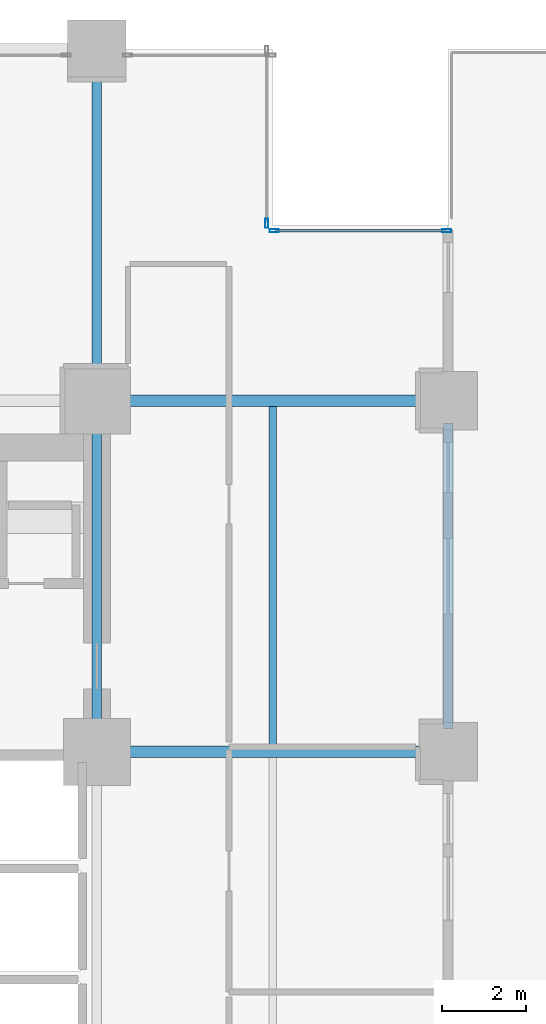
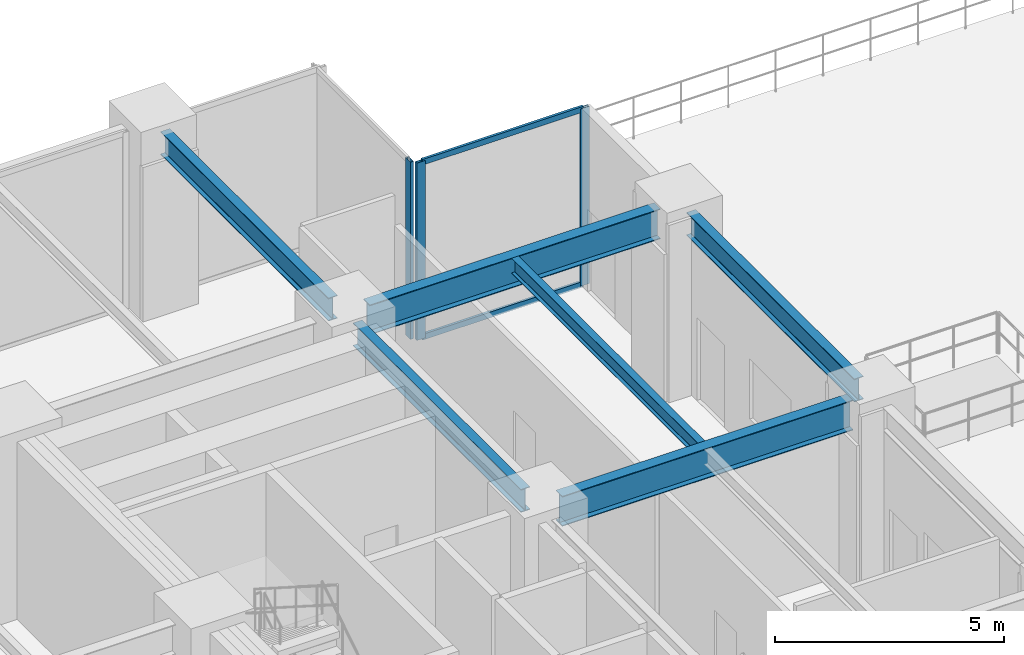
# One storey, part 10 of 21: 6 beams, 5 members, 2 elements without a shape of their own.
"""IFC4 building model written with IfcOpenShell, lengths in metres."""

from ifc_helpers import new_model, si_unit, direction, frame, origin, origin_2d, place, context, subcontext, project, spatial, hollow_rectangle, i_section, extrude, material, layer, layer_set, material_profile, profile_set, type_object, element, aggregate, save


model = new_model("IFC4")

# Units and contexts
model_context = context("Model", 3, precision=1e-05, world=origin(), true_north=direction((0.0, 1.0)))
body_context = subcontext(model_context, "Body", "Model", "MODEL_VIEW")
ifc_project = project(units=[si_unit("LENGTHUNIT", "METRE"), si_unit("AREAUNIT", "SQUARE_METRE"), si_unit("VOLUMEUNIT", "CUBIC_METRE"), si_unit("PLANEANGLEUNIT", "RADIAN"), si_unit("MASSUNIT", "GRAM", prefix="KILO")], contexts=[model_context])

# Site, building, storey
site_placement = place(None, origin())
site = spatial("IfcSite", under=ifc_project, at=site_placement, CompositionType="ELEMENT")
building_placement = place(site_placement, origin())
building = spatial("IfcBuilding", under=site, at=building_placement, Name="Nerrivon Quay Data Exchange", CompositionType="ELEMENT")
storey_placement = place(building_placement, frame((0.0, 0.0, 19.800048828125)))
storey = spatial("IfcBuildingStorey", under=building, at=storey_placement, Name="L04", CompositionType="ELEMENT", Elevation=19.800048828125)

# Beams
ifc_material_1 = material(Name="Steel Grade 350", Category="steel")
ifc_material_profile_1 = material_profile(ifc_material_1, i_section(OverallWidth=0.22900390625, OverallDepth=0.612060546875, WebThickness=0.011962890625, FlangeThickness=0.01953125, FilletRadius=0.013916015625, at=origin_2d()), Name="610UB125")
ifc_profile_set_1 = profile_set([ifc_material_profile_1], Name="Steel Grade 350")
beam_type_1 = type_object("IfcBeamType", Name="BM-G1-610UB125", PredefinedType="BEAM", material=ifc_profile_set_1)
for number, where, z_axis, x_axis, name in (
    (1, (16.800048828125, 34.139892578125, 4.4189453125), (0.0, 1.0, 0.0), (-1.0, 0.0, 0.0), "L04 NS Girder X=16.8 (33.6..42.0)"),
    (2, (16.800048828125, 42.5400390625, 4.4189453125), (0.0, 1.0, 0.0), (-1.0, 0.0, 0.0), "L04 NS Girder X=16.8 (42.0..50.4)"),
    (3, (25.199951171875, 34.139892578125, 4.4189453125), (0.0, 1.0, 0.0), (-1.0, 0.0, 0.0), "L04 NS Girder X=25.2 (33.6..42.0)"),
):
    element("IfcBeam", number, at=place(storey_placement, frame(where, z_axis=z_axis, x_axis=x_axis)), inside=storey, type_object=beam_type_1, Name=name, PredefinedType="BEAM", context=body_context, shape_type="SweptSolid", body=[
        extrude(i_section(OverallWidth=0.22900390625, OverallDepth=0.612060546875, WebThickness=0.011962890625, FlangeThickness=0.01953125, FilletRadius=0.013916015625, at=origin_2d()), origin(), (0.0, 0.0, 1.0), 7.320068359375),
    ])
ifc_material_profile_2 = material_profile(ifc_material_1, i_section(OverallWidth=0.27490234375, OverallDepth=0.800048828125, WebThickness=0.010009765625, FlangeThickness=0.02001953125, at=origin_2d()), Name="800WB146")
ifc_profile_set_2 = profile_set([ifc_material_profile_2], Name="Steel Grade 350")
beam_type_2 = type_object("IfcBeamType", Name="BM-G8-800WB146", PredefinedType="BEAM", material=ifc_profile_set_2)
for number, where, z_axis, x_axis, name in (
    (4, (17.340087890625, 33.60009765625, 4.324951171875), (1.0, 0.0, 0.0), (0.0, 1.0, 0.0), "L04 EW Girder Y=33.6 (16.8..25.2)"),
    (5, (17.340087890625, 42.0, 4.324951171875), (1.0, 0.0, 0.0), (0.0, 1.0, 0.0), "L04 EW Girder Y=42.0 (16.8..25.2)"),
):
    element("IfcBeam", number, at=place(storey_placement, frame(where, z_axis=z_axis, x_axis=x_axis)), inside=storey, type_object=beam_type_2, Name=name, PredefinedType="BEAM", context=body_context, shape_type="SweptSolid", body=[
        extrude(i_section(OverallWidth=0.27490234375, OverallDepth=0.800048828125, WebThickness=0.010009765625, FlangeThickness=0.02001953125, at=origin_2d()), origin(), (0.0, 0.0, 1.0), 7.31982421875),
    ])
ifc_material_profile_3 = material_profile(ifc_material_1, i_section(OverallWidth=0.177978515625, OverallDepth=0.403076171875, WebThickness=0.007568359375, FlangeThickness=0.010986328125, FilletRadius=0.011474609375, at=origin_2d()), Name="410UB53.7")
ifc_profile_set_3 = profile_set([ifc_material_profile_3], Name="Steel Grade 350")
beam_type_3 = type_object("IfcBeamType", Name="BM-J2-410UB54", PredefinedType="JOIST", material=ifc_profile_set_3)
beam_placement = place(storey_placement, frame((21.0, 33.737548828125, 4.5234375), z_axis=(0.0, 1.0, 0.0), x_axis=(-1.0, 0.0, 0.0)))
element("IfcBeam", 6, at=beam_placement, inside=storey, type_object=beam_type_3, Name="L04 Secondary Joist X=21.0 (33.6..42.0)", PredefinedType="JOIST", context=body_context, shape_type="SweptSolid", body=[
    extrude(i_section(OverallWidth=0.177978515625, OverallDepth=0.403076171875, WebThickness=0.007568359375, FlangeThickness=0.010986328125, FilletRadius=0.011474609375, at=origin_2d()), origin(), (0.0, 0.0, 1.0), 8.125),
])

# Curtain wall, member
ifc_material_2 = material(Name="Anodised aluminium 6063-T6", Category="aluminium")
ifc_layer = layer(ifc_material_2, 0.239990234375)
ifc_layer_set = layer_set([ifc_layer], Name="Anodised aluminium 6063-T6")
curtain_wall_type = type_object("IfcCurtainWallType", Name="CW-SYS-03", PredefinedType="NOTDEFINED", material=ifc_layer_set)
curtain_wall_1_placement = place(storey_placement, origin())
curtain_wall_1 = element("IfcCurtainWall", 7, at=curtain_wall_1_placement, inside=storey, type_object=curtain_wall_type, Name="L04 Unitised Curtain Wall 23", PredefinedType="NOTDEFINED")
ifc_material_profile_4 = material_profile(ifc_material_2, hollow_rectangle(XDim=0.074951171875, YDim=0.219970703125, WallThickness=0.00390625, at=origin_2d()), Name="ALU-MULL-220x75")
ifc_profile_set_4 = profile_set([ifc_material_profile_4], Name="Anodised aluminium 6063-T6")
member_type_1 = type_object("IfcMemberType", Name="CWM-220x75", PredefinedType="MULLION", material=ifc_profile_set_4)
member_1_placement = place(storey_placement, frame((20.860107421875, 46.237548828125, 0.0), z_axis=(0.0, 0.0, 1.0), x_axis=(1.0, 0.0, 0.0)))
member_1 = element("IfcMember", 8, at=member_1_placement, type_object=member_type_1, Name="CW03 mullion 2", PredefinedType="MULLION", context=body_context, shape_type="SweptSolid", body=[
    extrude(hollow_rectangle(XDim=0.074951171875, YDim=0.219970703125, WallThickness=0.00390625, at=origin_2d()), origin(), (0.0, 0.0, 1.0), 4.724853515625),
])
aggregate(curtain_wall_1, [member_1])

# Curtain wall, members
curtain_wall_2_placement = place(storey_placement, origin())
curtain_wall_2 = element("IfcCurtainWall", 9, at=curtain_wall_2_placement, inside=storey, type_object=curtain_wall_type, Name="L04 Unitised Curtain Wall 24", PredefinedType="NOTDEFINED")
member_2_placement = place(storey_placement, frame((21.03759765625, 46.06005859375, 0.0), z_axis=(0.0, 0.0, 1.0), x_axis=(0.0, 1.0, 0.0)))
member_2 = element("IfcMember", 10, at=member_2_placement, type_object=member_type_1, Name="CW03 mullion 1", PredefinedType="MULLION", context=body_context, shape_type="SweptSolid", body=[
    extrude(hollow_rectangle(XDim=0.074951171875, YDim=0.219970703125, WallThickness=0.00390625, at=origin_2d()), origin(), (0.0, 0.0, 1.0), 4.724853515625),
])
member_3_placement = place(storey_placement, frame((25.16259765625, 46.06005859375, 0.0), z_axis=(0.0, 0.0, 1.0), x_axis=(0.0, 1.0, 0.0)))
member_3 = element("IfcMember", 11, at=member_3_placement, type_object=member_type_1, Name="CW03 mullion 2", PredefinedType="MULLION", context=body_context, shape_type="SweptSolid", body=[
    extrude(hollow_rectangle(XDim=0.074951171875, YDim=0.219970703125, WallThickness=0.00390625, at=origin_2d()), origin(), (0.0, 0.0, 1.0), 4.724853515625),
])
ifc_material_profile_5 = material_profile(ifc_material_2, hollow_rectangle(XDim=0.06494140625, YDim=0.14990234375, WallThickness=0.00341796875, at=origin_2d()), Name="ALU-TRAN-150x65")
ifc_profile_set_5 = profile_set([ifc_material_profile_5], Name="Anodised aluminium 6063-T6")
member_type_2 = type_object("IfcMemberType", Name="CWT-150x65", PredefinedType="USERDEFINED", material=ifc_profile_set_5)
member_4_placement = place(storey_placement, frame((21.074951171875, 46.06005859375, 0.032470703125), z_axis=(1.0, 0.0, 0.0), x_axis=(0.0, 1.0, 0.0)))
member_4 = element("IfcMember", 12, at=member_4_placement, type_object=member_type_2, Name="CW03 transom 1.1", ObjectType="TRANSOM", PredefinedType="USERDEFINED", context=body_context, shape_type="SweptSolid", body=[
    extrude(hollow_rectangle(XDim=0.06494140625, YDim=0.14990234375, WallThickness=0.00341796875, at=origin_2d()), origin(), (0.0, 0.0, 1.0), 4.050048828125),
])
member_5_placement = place(storey_placement, frame((21.074951171875, 46.06005859375, 4.6923828125), z_axis=(1.0, 0.0, 0.0), x_axis=(0.0, 1.0, 0.0)))
member_5 = element("IfcMember", 13, at=member_5_placement, type_object=member_type_2, Name="CW03 transom 1.2", ObjectType="TRANSOM", PredefinedType="USERDEFINED", context=body_context, shape_type="SweptSolid", body=[
    extrude(hollow_rectangle(XDim=0.06494140625, YDim=0.14990234375, WallThickness=0.00341796875, at=origin_2d()), origin(), (0.0, 0.0, 1.0), 4.050048828125),
])
aggregate(curtain_wall_2, [member_2, member_3, member_4, member_5])

save(model, "model.ifc")
